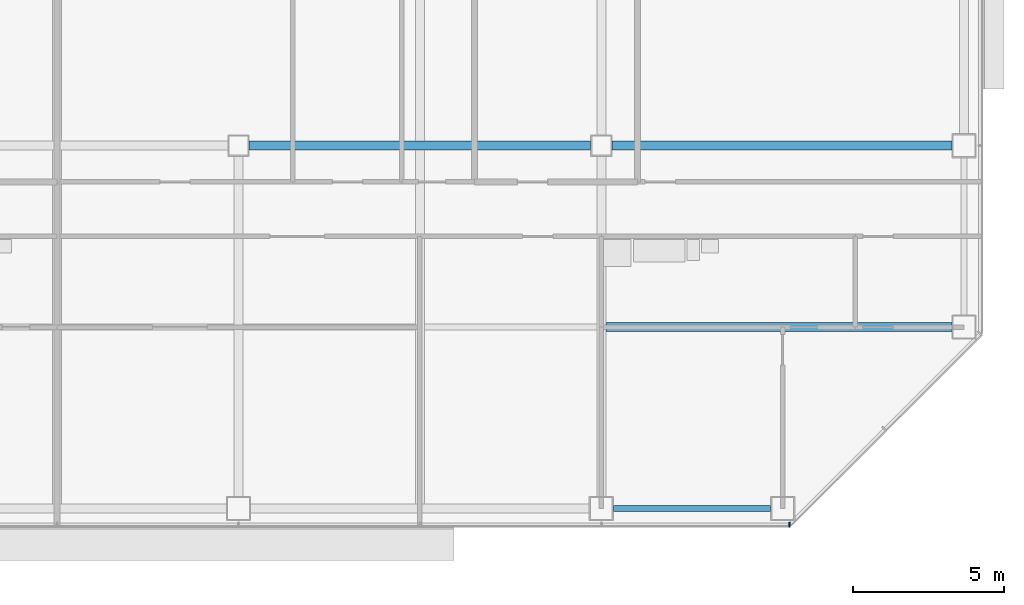
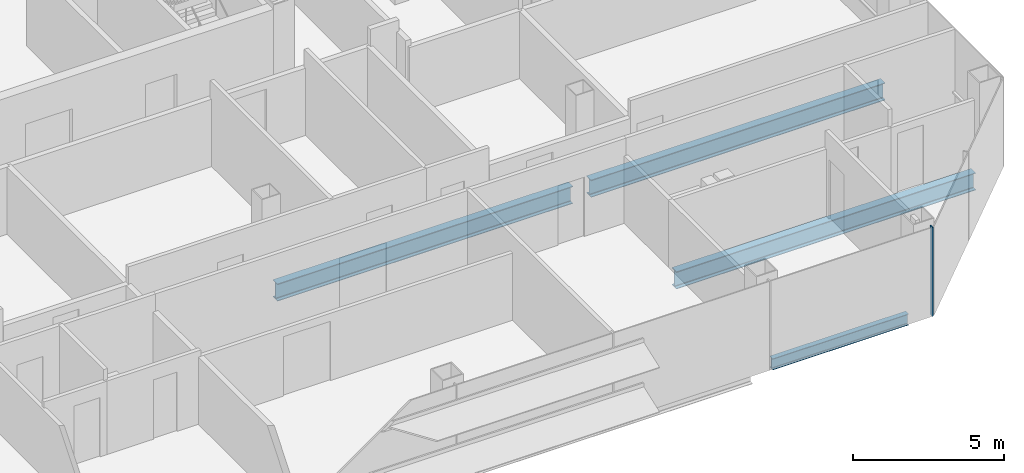
# One storey, part 9 of 25: 4 beams, 1 member, 1 element without a shape of its own.
"""IFC4 building model written with IfcOpenShell, lengths in metres."""

from ifc_helpers import new_model, si_unit, direction, frame, origin, origin_2d, place, context, subcontext, project, spatial, rectangle, i_section, extrude, material, material_profile, profile_set, type_object, element, aggregate, save


model = new_model("IFC4")

# Units and contexts
model_context = context("Model", 3, precision=1e-05, world=origin(), true_north=direction((0.0, 1.0)))
body_context = subcontext(model_context, "Body", "Model", "MODEL_VIEW")
ifc_project = project(units=[si_unit("LENGTHUNIT", "METRE"), si_unit("AREAUNIT", "SQUARE_METRE"), si_unit("VOLUMEUNIT", "CUBIC_METRE"), si_unit("PLANEANGLEUNIT", "RADIAN"), si_unit("MASSUNIT", "GRAM", prefix="KILO")], contexts=[model_context])

# Site, building, storey
site_placement = place(None, origin())
site = spatial("IfcSite", under=ifc_project, at=site_placement, CompositionType="ELEMENT")
building_placement = place(site_placement, origin())
building = spatial("IfcBuilding", under=site, at=building_placement, Name="Sorahane Residences", CompositionType="ELEMENT")
storey_placement = place(building_placement, frame((0.0, 0.0, 130.39990234375)))
storey = spatial("IfcBuildingStorey", under=building, at=storey_placement, Name="L29", CompositionType="ELEMENT", Elevation=130.39990234375)

# Curtain wall, member
ifc_material_1 = material(Name="Dark low-e glass and black anodised aluminium", Category="aluminium")
curtain_wall_type = type_object("IfcCurtainWallType", Name="Curtain wall CW-1 Typical unitised wall", PredefinedType="NOTDEFINED", material=ifc_material_1)
curtain_wall_placement = place(storey_placement, origin())
curtain_wall = element("IfcCurtainWall", 1, at=curtain_wall_placement, inside=storey, type_object=curtain_wall_type, Name="CW-1 curtain wall L29 S1", PredefinedType="NOTDEFINED")
ifc_material_2 = material(Name="Black anodised aluminium", Category="aluminium")
ifc_material_profile_1 = material_profile(ifc_material_2, rectangle(XDim=0.159912109375, YDim=0.050048828125, at=origin_2d()), Name="Curtain wall mullion CW-1 black anodised aluminium 50x160")
ifc_profile_set_1 = profile_set([ifc_material_profile_1], Name="Black anodised aluminium")
member_type = type_object("IfcMemberType", Name="Curtain wall mullion CW-1 black anodised aluminium 50x160", PredefinedType="MULLION", material=ifc_profile_set_1)
member_placement = place(storey_placement, frame((54.2236328125, -0.5400390625, -0.179931640625), z_axis=(0.0, 0.0, 1.0), x_axis=(0.0, -1.0, 0.0)))
member = element("IfcMember", 2, at=member_placement, type_object=member_type, Name="CW-1 mullion L29 S1.10", PredefinedType="MULLION", context=body_context, shape_type="SweptSolid", body=[
    extrude(rectangle(XDim=0.159912109375, YDim=0.050048828125, at=origin_2d()), origin(), (0.0, 0.0, 1.0), 3.60009765625),
])
aggregate(curtain_wall, [member])

# Beams
ifc_material_3 = material(Name="Steel Q355B", Category="steel")
ifc_material_profile_2 = material_profile(ifc_material_3, i_section(OverallWidth=0.199951171875, OverallDepth=0.449951171875, WebThickness=0.009033203125, FlangeThickness=0.013916015625, FilletRadius=0.02001953125, at=origin_2d()), Name="HN 450x200x9x14")
ifc_profile_set_2 = profile_set([ifc_material_profile_2], Name="Steel Q355B")
beam_type_1 = type_object("IfcBeamType", Name="Steel floor beam HN 450x200x9x14 Q355B", PredefinedType="BEAM", material=ifc_profile_set_2)
beam_1_placement = place(storey_placement, frame((48.39990234375, 0.0, -0.40478515625), z_axis=(1.0, 0.0, 0.0), x_axis=(0.0, 1.0, 0.0)))
element("IfcBeam", 3, at=beam_1_placement, inside=storey, type_object=beam_type_1, Name="Beam L29 004", PredefinedType="BEAM", context=body_context, shape_type="SweptSolid", body=[
    extrude(i_section(OverallWidth=0.199951171875, OverallDepth=0.449951171875, WebThickness=0.009033203125, FlangeThickness=0.013916015625, FilletRadius=0.02001953125, at=origin_2d()), origin(), (0.0, 0.0, 1.0), 5.2001953125),
])
ifc_material_4 = material(Name="Steel Q355B", Category="steel")
ifc_material_profile_3 = material_profile(ifc_material_4, i_section(OverallWidth=0.300048828125, OverallDepth=0.699951171875, WebThickness=0.012939453125, FlangeThickness=0.02392578125, FilletRadius=0.028076171875, at=origin_2d()), Name="HN 700x300x13x24")
ifc_profile_set_3 = profile_set([ifc_material_profile_3], Name="Steel Q355B")
beam_type_2 = type_object("IfcBeamType", Name="Steel floor beam HN 700x300x13x24 Q355B", PredefinedType="BEAM", material=ifc_profile_set_3)
beam_2_placement = place(storey_placement, frame((36.35009765625, 12.0, -0.52978515625), z_axis=(1.0, 0.0, 0.0), x_axis=(0.0, 1.0, 0.0)))
element("IfcBeam", 4, at=beam_2_placement, inside=storey, type_object=beam_type_2, Name="Beam L29 009", PredefinedType="BEAM", context=body_context, shape_type="SweptSolid", body=[
    extrude(i_section(OverallWidth=0.300048828125, OverallDepth=0.699951171875, WebThickness=0.012939453125, FlangeThickness=0.02392578125, FilletRadius=0.028076171875, at=origin_2d()), origin(), (0.0, 0.0, 1.0), 11.2998046875),
])
beam_3_placement = place(storey_placement, frame((48.35009765625, 12.0, -0.52978515625), z_axis=(1.0, 0.0, 0.0), x_axis=(0.0, 1.0, 0.0)))
element("IfcBeam", 5, at=beam_3_placement, inside=storey, type_object=beam_type_2, Name="Beam L29 010", PredefinedType="BEAM", context=body_context, shape_type="SweptSolid", body=[
    extrude(i_section(OverallWidth=0.300048828125, OverallDepth=0.699951171875, WebThickness=0.012939453125, FlangeThickness=0.02392578125, FilletRadius=0.028076171875, at=origin_2d()), origin(), (0.0, 0.0, 1.0), 11.25),
])
beam_4_placement = place(storey_placement, frame((48.14990234375, 6.0, -0.52978515625), z_axis=(1.0, 0.0, 0.0), x_axis=(0.0, 1.0, 0.0)))
element("IfcBeam", 6, at=beam_4_placement, inside=storey, type_object=beam_type_2, Name="Beam L29 077", PredefinedType="BEAM", context=body_context, shape_type="SweptSolid", body=[
    extrude(i_section(OverallWidth=0.300048828125, OverallDepth=0.699951171875, WebThickness=0.012939453125, FlangeThickness=0.02392578125, FilletRadius=0.028076171875, at=origin_2d()), origin(), (0.0, 0.0, 1.0), 11.4501953125),
])

save(model, "model.ifc")
